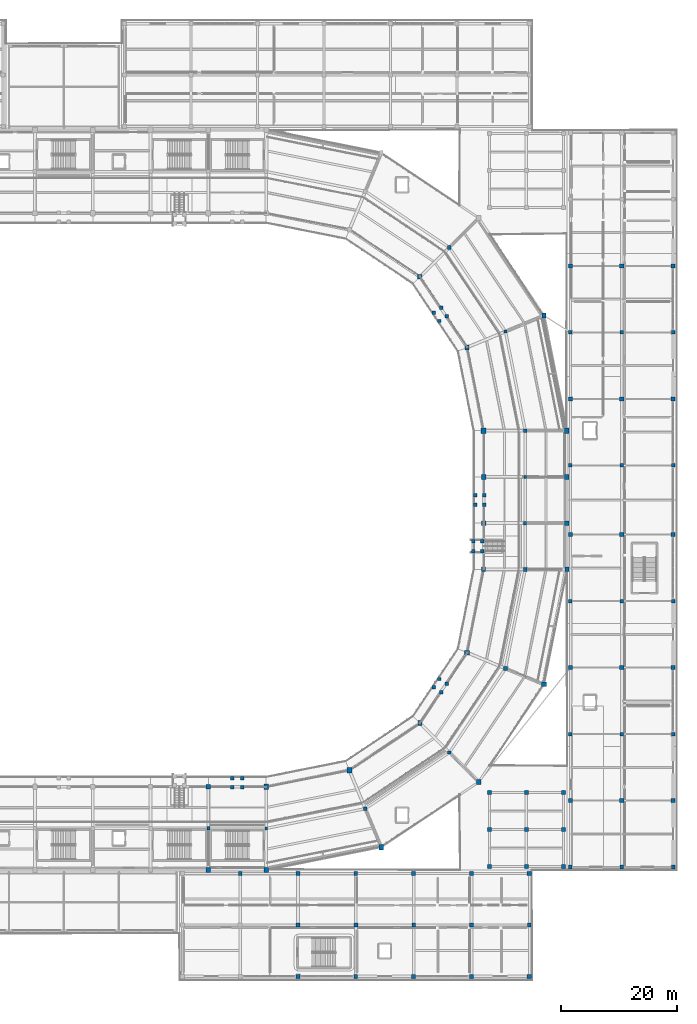
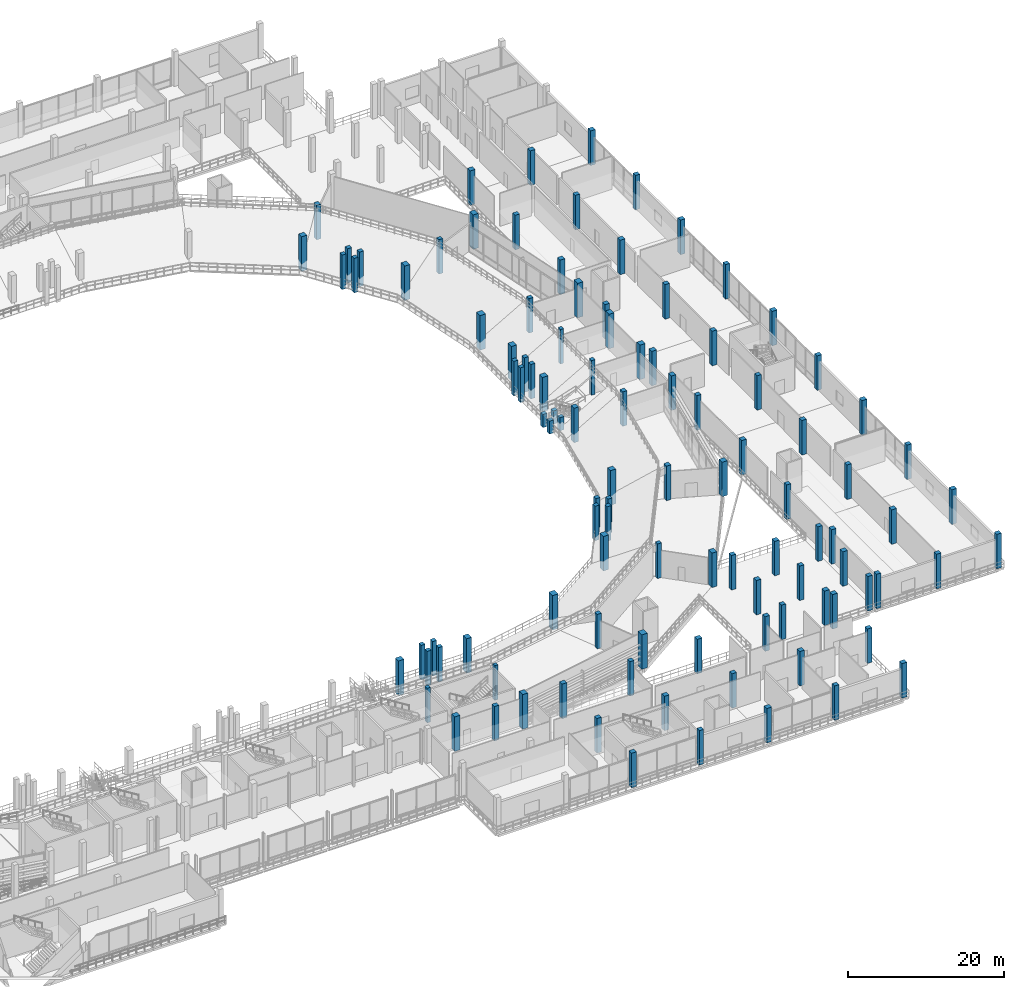
# One storey, part 5 of 127: 107 columns.
"""IFC4 building model written with IfcOpenShell, lengths in metres."""

from ifc_helpers import new_model, si_unit, direction, frame, origin, origin_2d, place, context, subcontext, project, spatial, rectangle, extrude, material, material_profile, profile_set, type_object, element, save


model = new_model("IFC4")

# Units and contexts
model_context = context("Model", 3, precision=1e-05, world=origin(), true_north=direction((0.0, 1.0)))
body_context = subcontext(model_context, "Body", "Model", "MODEL_VIEW")
ifc_project = project(units=[si_unit("LENGTHUNIT", "METRE"), si_unit("AREAUNIT", "SQUARE_METRE"), si_unit("VOLUMEUNIT", "CUBIC_METRE"), si_unit("PLANEANGLEUNIT", "RADIAN"), si_unit("MASSUNIT", "GRAM", prefix="KILO")], contexts=[model_context])

# Site, building, storey
site_placement = place(None, origin())
site = spatial("IfcSite", under=ifc_project, at=site_placement, CompositionType="ELEMENT")
building_placement = place(site_placement, origin())
building = spatial("IfcBuilding", under=site, at=building_placement, Name="Candeia Ridge Stadium", CompositionType="ELEMENT")
storey_placement = place(building_placement, frame((0.0, 0.0, 10.800048828125)))
storey = spatial("IfcBuildingStorey", under=building, at=storey_placement, Name="L02", CompositionType="ELEMENT", Elevation=10.800048828125)

# Columns
ifc_material_1 = material(Name="Concrete C45/55", Category="concrete")
ifc_material_profile_1 = material_profile(ifc_material_1, rectangle(XDim=0.800048828125, YDim=0.800048828125, at=origin_2d()), Name="RC800x800", Category="concrete")
ifc_profile_set_1 = profile_set([ifc_material_profile_1], Name="Concrete C45/55")
column_type_1 = type_object("IfcColumnType", Name="Bowl Column RC800x800", PredefinedType="COLUMN", material=ifc_profile_set_1)
for number, where, z_axis, x_axis, name in (
    (1, (131.0, 33.39990234375, 0.0), (0.0, 0.0, 1.0), (1.0, 0.0, 0.0), "Structural column BC-MD-24 L02"),
    (2, (131.0, 19.0, 0.0), (0.0, 0.0, 1.0), (1.0, 0.0, 0.0), "Structural column BC-OU-24 L02"),
    (3, (175.73779296875, 56.611083984375, 0.0), (0.0, 0.0, 1.0), (1.0, 0.0, 0.0), "Structural column BC-MD-28 L02"),
    (4, (189.041748046875, 51.100341796875, 0.0), (0.0, 0.0, 1.0), (1.0, 0.0, 0.0), "Structural column BC-OU-28 L02"),
    (5, (178.60009765625, 79.0, 0.0), (0.0, 0.0, 1.0), (1.0, 0.0, 0.0), "Structural column BC-MD-30 L02"),
    (6, (193.0, 79.0, 0.0), (0.0, 0.0, 1.0), (1.0, 0.0, 0.0), "Structural column BC-OU-30 L02"),
    (7, (167.587158203125, 121.587158203125, 0.0), (0.0, 0.0, 1.0), (1.0, 0.0, 0.0), "Structural column BC-MD-34 L02"),
):
    element("IfcColumn", number, at=place(storey_placement, frame(where, z_axis=z_axis, x_axis=x_axis)), inside=storey, type_object=column_type_1, Name=name, PredefinedType="COLUMN", context=body_context, shape_type="SweptSolid", body=[
        extrude(rectangle(XDim=0.800048828125, YDim=0.800048828125, at=origin_2d()), origin(), (0.0, 0.0, 1.0), 5.39990234375),
    ])
ifc_material_2 = material(Name="Concrete C40/50", Category="concrete")
ifc_material_profile_2 = material_profile(ifc_material_2, rectangle(XDim=0.47998046875, YDim=0.56005859375, at=origin_2d()), Name="RC480x560", Category="concrete")
ifc_profile_set_2 = profile_set([ifc_material_profile_2], Name="Concrete C40/50")
column_type_2 = type_object("IfcColumnType", Name="Graduated Frame Column RC480x560", PredefinedType="COLUMN", material=ifc_profile_set_2)
for number, where, z_axis, x_axis, name in (
    (8, (141.0, 26.199951171875, 0.0), (0.0, 0.0, 1.0), (1.0, 0.0, 0.0), "Structural column BC-M2-25 L02"),
    (9, (185.800048828125, 87.0, 0.0), (0.0, 0.0, 1.0), (1.0, 0.0, 0.0), "Structural column BC-M2-31 L02"),
):
    element("IfcColumn", number, at=place(storey_placement, frame(where, z_axis=z_axis, x_axis=x_axis)), inside=storey, type_object=column_type_2, Name=name, PredefinedType="COLUMN", context=body_context, shape_type="SweptSolid", body=[
        extrude(rectangle(XDim=0.47998046875, YDim=0.56005859375, at=origin_2d()), origin(), (0.0, 0.0, 1.0), 5.39990234375),
    ])
ifc_material_profile_3 = material_profile(ifc_material_2, rectangle(XDim=0.52001953125, YDim=0.6201171875, at=origin_2d()), Name="RC520x620", Category="concrete")
ifc_profile_set_3 = profile_set([ifc_material_profile_3], Name="Concrete C40/50")
column_type_3 = type_object("IfcColumnType", Name="Graduated Frame Column RC520x620", PredefinedType="COLUMN", material=ifc_profile_set_3)
for number, where, z_axis, x_axis, name in (
    (10, (131.0, 26.199951171875, 0.0), (0.0, 0.0, 1.0), (1.0, 0.0, 0.0), "Structural column BC-M2-24 L02"),
    (11, (185.800048828125, 79.0, 0.0), (0.0, 0.0, 1.0), (1.0, 0.0, 0.0), "Structural column BC-M2-30 L02"),
):
    element("IfcColumn", number, at=place(storey_placement, frame(where, z_axis=z_axis, x_axis=x_axis)), inside=storey, type_object=column_type_3, Name=name, PredefinedType="COLUMN", context=body_context, shape_type="SweptSolid", body=[
        extrude(rectangle(XDim=0.52001953125, YDim=0.6201171875, at=origin_2d()), origin(), (0.0, 0.0, 1.0), 5.39990234375),
    ])
ifc_material_profile_4 = material_profile(ifc_material_2, rectangle(XDim=0.580078125, YDim=0.580078125, at=origin_2d()), Name="RC580x580", Category="concrete")
ifc_profile_set_4 = profile_set([ifc_material_profile_4], Name="Concrete C40/50")
column_type_4 = type_object("IfcColumnType", Name="Graduated Frame Column RC580x580", PredefinedType="COLUMN", material=ifc_profile_set_4)
for number, where, z_axis, x_axis, name in (
    (12, (172.678466796875, 39.321533203125, 0.0), (0.0, 0.0, 1.0), (1.0, 0.0, 0.0), "Structural column BC-M2-27 L02"),
    (13, (182.389892578125, 112.144287109375, 0.0), (0.0, 0.0, 1.0), (1.0, 0.0, 0.0), "Structural column BC-M2-33 L02"),
):
    element("IfcColumn", number, at=place(storey_placement, frame(where, z_axis=z_axis, x_axis=x_axis)), inside=storey, type_object=column_type_4, Name=name, PredefinedType="COLUMN", context=body_context, shape_type="SweptSolid", body=[
        extrude(rectangle(XDim=0.580078125, YDim=0.580078125, at=origin_2d()), origin(), (0.0, 0.0, 1.0), 5.39990234375),
    ])
ifc_material_profile_5 = material_profile(ifc_material_2, rectangle(XDim=0.580078125, YDim=0.679931640625, at=origin_2d()), Name="RC580x680", Category="concrete")
ifc_profile_set_5 = profile_set([ifc_material_profile_5], Name="Concrete C40/50")
column_type_5 = type_object("IfcColumnType", Name="Graduated Frame Column RC580x680", PredefinedType="COLUMN", material=ifc_profile_set_5)
column_placement = place(storey_placement, frame((185.800048828125, 71.0, 0.0), z_axis=(0.0, 0.0, 1.0), x_axis=(1.0, 0.0, 0.0)))
element("IfcColumn", 14, at=column_placement, inside=storey, type_object=column_type_5, Name="Structural column BC-M2-29 L02", PredefinedType="COLUMN", context=body_context, shape_type="SweptSolid", body=[
    extrude(rectangle(XDim=0.580078125, YDim=0.679931640625, at=origin_2d()), origin(), (0.0, 0.0, 1.0), 5.39990234375),
])
ifc_material_profile_6 = material_profile(ifc_material_2, rectangle(XDim=0.6201171875, YDim=0.6201171875, at=origin_2d()), Name="RC620x620", Category="concrete")
ifc_profile_set_6 = profile_set([ifc_material_profile_6], Name="Concrete C40/50")
column_type_6 = type_object("IfcColumnType", Name="Graduated Frame Column RC620x620", PredefinedType="COLUMN", material=ifc_profile_set_6)
for number, where, z_axis, x_axis, name in (
    (15, (158.144287109375, 29.610107421875, 0.0), (0.0, 0.0, 1.0), (1.0, 0.0, 0.0), "Structural column BC-M2-26 L02"),
    (16, (185.800048828125, 95.0, 0.0), (0.0, 0.0, 1.0), (1.0, 0.0, 0.0), "Structural column BC-M2-32 L02"),
):
    element("IfcColumn", number, at=place(storey_placement, frame(where, z_axis=z_axis, x_axis=x_axis)), inside=storey, type_object=column_type_6, Name=name, PredefinedType="COLUMN", context=body_context, shape_type="SweptSolid", body=[
        extrude(rectangle(XDim=0.6201171875, YDim=0.6201171875, at=origin_2d()), origin(), (0.0, 0.0, 1.0), 5.39990234375),
    ])
ifc_material_profile_7 = material_profile(ifc_material_2, rectangle(XDim=0.6201171875, YDim=0.719970703125, at=origin_2d()), Name="RC620x720", Category="concrete")
ifc_profile_set_7 = profile_set([ifc_material_profile_7], Name="Concrete C40/50")
column_type_7 = type_object("IfcColumnType", Name="Graduated Frame Column RC620x720", PredefinedType="COLUMN", material=ifc_profile_set_7)
for number, where, z_axis, x_axis, name in (
    (17, (182.389892578125, 53.855712890625, 0.0), (0.0, 0.0, 1.0), (1.0, 0.0, 0.0), "Structural column BC-M2-28 L02"),
    (18, (172.678466796875, 126.678466796875, 0.0), (0.0, 0.0, 1.0), (1.0, 0.0, 0.0), "Structural column BC-M2-34 L02"),
):
    element("IfcColumn", number, at=place(storey_placement, frame(where, z_axis=z_axis, x_axis=x_axis)), inside=storey, type_object=column_type_7, Name=name, PredefinedType="COLUMN", context=body_context, shape_type="SweptSolid", body=[
        extrude(rectangle(XDim=0.6201171875, YDim=0.719970703125, at=origin_2d()), origin(), (0.0, 0.0, 1.0), 5.39990234375),
    ])
ifc_material_profile_8 = material_profile(ifc_material_2, rectangle(XDim=0.679931640625, YDim=0.760009765625, at=origin_2d()), Name="RC680x760", Category="concrete")
ifc_profile_set_8 = profile_set([ifc_material_profile_8], Name="Concrete C40/50")
column_type_8 = type_object("IfcColumnType", Name="Graduated Frame Column RC680x760", PredefinedType="COLUMN", material=ifc_profile_set_8)
for number, where, z_axis, x_axis, name in (
    (19, (178.60009765625, 71.0, 0.0), (0.0, 0.0, 1.0), (1.0, 0.0, 0.0), "Structural column BC-MD-29 L02"),
    (20, (193.0, 71.0, 0.0), (0.0, 0.0, 1.0), (1.0, 0.0, 0.0), "Structural column BC-OU-29 L02"),
):
    element("IfcColumn", number, at=place(storey_placement, frame(where, z_axis=z_axis, x_axis=x_axis)), inside=storey, type_object=column_type_8, Name=name, PredefinedType="COLUMN", context=body_context, shape_type="SweptSolid", body=[
        extrude(rectangle(XDim=0.679931640625, YDim=0.760009765625, at=origin_2d()), origin(), (0.0, 0.0, 1.0), 5.39990234375),
    ])
ifc_material_profile_9 = material_profile(ifc_material_1, rectangle(XDim=0.820068359375, YDim=0.949951171875, at=origin_2d()), Name="RC820x950", Category="concrete")
ifc_profile_set_9 = profile_set([ifc_material_profile_9], Name="Concrete C45/55")
column_type_9 = type_object("IfcColumnType", Name="Graduated Frame Column RC820x950", PredefinedType="COLUMN", material=ifc_profile_set_9)
for number, where, z_axis, x_axis, name in (
    (21, (155.388916015625, 36.26220703125, 0.0), (0.0, 0.0, 1.0), (1.0, 0.0, 0.0), "Structural column BC-MD-26 L02"),
    (22, (160.899658203125, 22.958251953125, 0.0), (0.0, 0.0, 1.0), (1.0, 0.0, 0.0), "Structural column BC-OU-26 L02"),
    (23, (178.60009765625, 95.0, 0.0), (0.0, 0.0, 1.0), (1.0, 0.0, 0.0), "Structural column BC-MD-32 L02"),
    (24, (193.0, 95.0, 0.0), (0.0, 0.0, 1.0), (1.0, 0.0, 0.0), "Structural column BC-OU-32 L02"),
):
    element("IfcColumn", number, at=place(storey_placement, frame(where, z_axis=z_axis, x_axis=x_axis)), inside=storey, type_object=column_type_9, Name=name, PredefinedType="COLUMN", context=body_context, shape_type="SweptSolid", body=[
        extrude(rectangle(XDim=0.820068359375, YDim=0.949951171875, at=origin_2d()), origin(), (0.0, 0.0, 1.0), 5.39990234375),
    ])
ifc_material_profile_10 = material_profile(ifc_material_2, rectangle(XDim=0.64990234375, YDim=0.64990234375, at=origin_2d()), Name="RC650x650", Category="concrete")
ifc_profile_set_10 = profile_set([ifc_material_profile_10], Name="Concrete C40/50")
column_type_10 = type_object("IfcColumnType", Name="Reinforced Concrete Column RC650x650", PredefinedType="COLUMN", material=ifc_profile_set_10)
for number, where, z_axis, x_axis, name in (
    (25, (193.60009765625, 19.5, 0.0), (0.0, 0.0, 1.0), (1.0, 0.0, 0.0), "Structural column EW-00-00 L02"),
    (26, (193.60009765625, 42.5, 0.0), (0.0, 0.0, 1.0), (1.0, 0.0, 0.0), "Structural column EW-00-02 L02"),
    (27, (193.60009765625, 65.5, 0.0), (0.0, 0.0, 1.0), (1.0, 0.0, 0.0), "Structural column EW-00-04 L02"),
    (28, (193.60009765625, 89.0, 0.0), (0.0, 0.0, 1.0), (1.0, 0.0, 0.0), "Structural column EW-00-06 L02"),
    (29, (193.60009765625, 112.0, 0.0), (0.0, 0.0, 1.0), (1.0, 0.0, 0.0), "Structural column EW-00-08 L02"),
    (30, (202.5, 19.5, 0.0), (0.0, 0.0, 1.0), (1.0, 0.0, 0.0), "Structural column EW-01-00 L02"),
    (31, (202.5, 42.5, 0.0), (0.0, 0.0, 1.0), (1.0, 0.0, 0.0), "Structural column EW-01-02 L02"),
    (32, (202.5, 65.5, 0.0), (0.0, 0.0, 1.0), (1.0, 0.0, 0.0), "Structural column EW-01-04 L02"),
    (33, (202.5, 89.0, 0.0), (0.0, 0.0, 1.0), (1.0, 0.0, 0.0), "Structural column EW-01-06 L02"),
    (34, (202.5, 112.0, 0.0), (0.0, 0.0, 1.0), (1.0, 0.0, 0.0), "Structural column EW-01-08 L02"),
    (35, (211.39990234375, 19.5, 0.0), (0.0, 0.0, 1.0), (1.0, 0.0, 0.0), "Structural column EW-02-00 L02"),
    (36, (211.39990234375, 42.5, 0.0), (0.0, 0.0, 1.0), (1.0, 0.0, 0.0), "Structural column EW-02-02 L02"),
    (37, (211.39990234375, 65.5, 0.0), (0.0, 0.0, 1.0), (1.0, 0.0, 0.0), "Structural column EW-02-04 L02"),
    (38, (211.39990234375, 89.0, 0.0), (0.0, 0.0, 1.0), (1.0, 0.0, 0.0), "Structural column EW-02-06 L02"),
    (39, (211.39990234375, 112.0, 0.0), (0.0, 0.0, 1.0), (1.0, 0.0, 0.0), "Structural column EW-02-08 L02"),
    (40, (136.5, 18.39990234375, 0.0), (0.0, 0.0, 1.0), (1.0, 0.0, 0.0), "Structural column SWE-01-02 L02"),
    (41, (146.5, 9.5, 0.0), (0.0, 0.0, 1.0), (1.0, 0.0, 0.0), "Structural column SWE-02-01 L02"),
    (42, (156.5, 0.60009765625, 0.0), (0.0, 0.0, 1.0), (1.0, 0.0, 0.0), "Structural column SWE-03-00 L02"),
    (43, (156.5, 18.39990234375, 0.0), (0.0, 0.0, 1.0), (1.0, 0.0, 0.0), "Structural column SWE-03-02 L02"),
    (44, (166.5, 9.5, 0.0), (0.0, 0.0, 1.0), (1.0, 0.0, 0.0), "Structural column SWE-04-01 L02"),
    (45, (176.5, 0.60009765625, 0.0), (0.0, 0.0, 1.0), (1.0, 0.0, 0.0), "Structural column SWE-05-00 L02"),
    (46, (176.5, 18.39990234375, 0.0), (0.0, 0.0, 1.0), (1.0, 0.0, 0.0), "Structural column SWE-05-02 L02"),
    (47, (186.5, 9.5, 0.0), (0.0, 0.0, 1.0), (1.0, 0.0, 0.0), "Structural column SWE-06-01 L02"),
    (48, (179.60009765625, 19.60009765625, 0.0), (0.0, 0.0, 1.0), (1.0, 0.0, 0.0), "Structural column SPSE-00-00 L02"),
    (49, (179.60009765625, 32.39990234375, 0.0), (0.0, 0.0, 1.0), (1.0, 0.0, 0.0), "Structural column SPSE-00-02 L02"),
    (50, (186.0, 26.0, 0.0), (0.0, 0.0, 1.0), (1.0, 0.0, 0.0), "Structural column SPSE-01-01 L02"),
    (51, (192.39990234375, 19.60009765625, 0.0), (0.0, 0.0, 1.0), (1.0, 0.0, 0.0), "Structural column SPSE-02-00 L02"),
    (52, (192.39990234375, 32.39990234375, 0.0), (0.0, 0.0, 1.0), (1.0, 0.0, 0.0), "Structural column SPSE-02-02 L02"),
):
    element("IfcColumn", number, at=place(storey_placement, frame(where, z_axis=z_axis, x_axis=x_axis)), inside=storey, type_object=column_type_10, Name=name, PredefinedType="COLUMN", context=body_context, shape_type="SweptSolid", body=[
        extrude(rectangle(XDim=0.64990234375, YDim=0.64990234375, at=origin_2d()), origin(), (0.0, 0.0, 1.0), 5.39990234375),
    ])
ifc_material_profile_11 = material_profile(ifc_material_1, rectangle(XDim=0.75, YDim=0.89990234375, at=origin_2d()), Name="RC750x900", Category="concrete")
ifc_profile_set_11 = profile_set([ifc_material_profile_11], Name="Concrete C45/55")
column_type_11 = type_object("IfcColumnType", Name="Reinforced Concrete Column RC750x900", PredefinedType="COLUMN", material=ifc_profile_set_11)
for number, where, z_axis, x_axis, name in (
    (53, (141.0, 33.39990234375, 0.0), (0.0, 0.0, 1.0), (1.0, 0.0, 0.0), "Structural column BC-MD-25 L02"),
    (54, (141.0, 19.0, 0.0), (0.0, 0.0, 1.0), (1.0, 0.0, 0.0), "Structural column BC-OU-25 L02"),
    (55, (167.587158203125, 44.412841796875, 0.0), (0.0, 0.0, 1.0), (1.0, 0.0, 0.0), "Structural column BC-MD-27 L02"),
    (56, (177.76953125, 34.23046875, 0.0), (0.0, 0.0, 1.0), (1.0, 0.0, 0.0), "Structural column BC-OU-27 L02"),
    (57, (178.60009765625, 87.0, 0.0), (0.0, 0.0, 1.0), (1.0, 0.0, 0.0), "Structural column BC-MD-31 L02"),
    (58, (193.0, 87.0, 0.0), (0.0, 0.0, 1.0), (1.0, 0.0, 0.0), "Structural column BC-OU-31 L02"),
    (59, (175.73779296875, 109.388916015625, 0.0), (0.0, 0.0, 1.0), (1.0, 0.0, 0.0), "Structural column BC-MD-33 L02"),
    (60, (189.041748046875, 114.899658203125, 0.0), (0.0, 0.0, 1.0), (1.0, 0.0, 0.0), "Structural column BC-OU-33 L02"),
):
    element("IfcColumn", number, at=place(storey_placement, frame(where, z_axis=z_axis, x_axis=x_axis)), inside=storey, type_object=column_type_11, Name=name, PredefinedType="COLUMN", context=body_context, shape_type="SweptSolid", body=[
        extrude(rectangle(XDim=0.75, YDim=0.89990234375, at=origin_2d()), origin(), (0.0, 0.0, 1.0), 5.39990234375),
    ])
ifc_material_profile_12 = material_profile(ifc_material_2, rectangle(XDim=0.60009765625, YDim=0.60009765625, at=origin_2d()), Name="RC600x600", Category="concrete")
ifc_profile_set_12 = profile_set([ifc_material_profile_12], Name="Concrete C40/50")
column_type_12 = type_object("IfcColumnType", Name="Wing Column RC600x600", PredefinedType="COLUMN", material=ifc_profile_set_12)
for number, where, z_axis, x_axis, name in (
    (61, (178.3701171875, 75.85009765625, 0.0), (0.0, 0.0, 1.0), (1.0, 0.0, 0.0), "Vomitory VS24 landing support column 1 L02"),
    (62, (176.820068359375, 75.85009765625, 0.0), (0.0, 0.0, 1.0), (1.0, 0.0, 0.0), "Vomitory VS24 landing support column 2 L02"),
    (63, (176.820068359375, 74.14990234375, 0.0), (0.0, 0.0, 1.0), (1.0, 0.0, 0.0), "Vomitory VS24 landing support column 3 L02"),
    (64, (178.3701171875, 74.14990234375, 0.0), (0.0, 0.0, 1.0), (1.0, 0.0, 0.0), "Vomitory VS24 landing support column 4 L02"),
):
    element("IfcColumn", number, at=place(storey_placement, frame(where, z_axis=z_axis, x_axis=x_axis)), inside=storey, type_object=column_type_12, Name=name, PredefinedType="COLUMN", context=body_context, shape_type="SweptSolid", body=[
        extrude(rectangle(XDim=0.60009765625, YDim=0.60009765625, at=origin_2d()), origin(), (0.0, 0.0, 1.0), 2.0400390625),
    ])
for number, where, z_axis, x_axis, name in (
    (65, (136.85009765625, 33.318115234375, 0.0), (0.0, 0.0, 1.0), (1.0, 0.0, 0.0), "Vomitory VS33 landing support column 1 L02"),
    (66, (136.85009765625, 34.867919921875, 0.0), (0.0, 0.0, 1.0), (1.0, 0.0, 0.0), "Vomitory VS33 landing support column 2 L02"),
    (67, (135.14990234375, 34.867919921875, 0.0), (0.0, 0.0, 1.0), (1.0, 0.0, 0.0), "Vomitory VS33 landing support column 3 L02"),
    (68, (135.14990234375, 33.318115234375, 0.0), (0.0, 0.0, 1.0), (1.0, 0.0, 0.0), "Vomitory VS33 landing support column 4 L02"),
    (69, (172.196044921875, 51.177734375, 0.0), (0.0, 0.0, 1.0), (1.0, 0.0, 0.0), "Vomitory VS34 landing support column 1 L02"),
    (70, (170.9072265625, 52.038818359375, 0.0), (0.0, 0.0, 1.0), (1.0, 0.0, 0.0), "Vomitory VS34 landing support column 2 L02"),
    (71, (169.962890625, 50.62548828125, 0.0), (0.0, 0.0, 1.0), (1.0, 0.0, 0.0), "Vomitory VS34 landing support column 3 L02"),
    (72, (171.251708984375, 49.76416015625, 0.0), (0.0, 0.0, 1.0), (1.0, 0.0, 0.0), "Vomitory VS34 landing support column 4 L02"),
    (73, (178.681884765625, 83.85009765625, 0.0), (0.0, 0.0, 1.0), (1.0, 0.0, 0.0), "Vomitory VS35 landing support column 1 L02"),
    (74, (177.132080078125, 83.85009765625, 0.0), (0.0, 0.0, 1.0), (1.0, 0.0, 0.0), "Vomitory VS35 landing support column 2 L02"),
    (75, (177.132080078125, 82.14990234375, 0.0), (0.0, 0.0, 1.0), (1.0, 0.0, 0.0), "Vomitory VS35 landing support column 3 L02"),
    (76, (178.681884765625, 82.14990234375, 0.0), (0.0, 0.0, 1.0), (1.0, 0.0, 0.0), "Vomitory VS35 landing support column 4 L02"),
    (77, (171.251708984375, 116.23583984375, 0.0), (0.0, 0.0, 1.0), (1.0, 0.0, 0.0), "Vomitory VS36 landing support column 1 L02"),
    (78, (169.962890625, 115.37451171875, 0.0), (0.0, 0.0, 1.0), (1.0, 0.0, 0.0), "Vomitory VS36 landing support column 2 L02"),
    (79, (170.9072265625, 113.961181640625, 0.0), (0.0, 0.0, 1.0), (1.0, 0.0, 0.0), "Vomitory VS36 landing support column 3 L02"),
    (80, (172.196044921875, 114.822265625, 0.0), (0.0, 0.0, 1.0), (1.0, 0.0, 0.0), "Vomitory VS36 landing support column 4 L02"),
):
    element("IfcColumn", number, at=place(storey_placement, frame(where, z_axis=z_axis, x_axis=x_axis)), inside=storey, type_object=column_type_12, Name=name, PredefinedType="COLUMN", context=body_context, shape_type="SweptSolid", body=[
        extrude(rectangle(XDim=0.60009765625, YDim=0.60009765625, at=origin_2d()), origin(), (0.0, 0.0, 1.0), 5.39990234375),
    ])
ifc_material_profile_13 = material_profile(ifc_material_2, rectangle(XDim=0.699951171875, YDim=0.699951171875, at=origin_2d()), Name="RC700x700", Category="concrete")
ifc_profile_set_13 = profile_set([ifc_material_profile_13], Name="Concrete C40/50")
column_type_13 = type_object("IfcColumnType", Name="Wing Column RC700x700", PredefinedType="COLUMN", material=ifc_profile_set_13)
for number, where, z_axis, x_axis, name in (
    (81, (193.60009765625, 31.0, 0.0), (0.0, 0.0, 1.0), (1.0, 0.0, 0.0), "Structural column EW-00-01 L02"),
    (82, (193.60009765625, 54.0, 0.0), (0.0, 0.0, 1.0), (1.0, 0.0, 0.0), "Structural column EW-00-03 L02"),
    (83, (193.60009765625, 77.0, 0.0), (0.0, 0.0, 1.0), (1.0, 0.0, 0.0), "Structural column EW-00-05 L02"),
    (84, (193.60009765625, 100.5, 0.0), (0.0, 0.0, 1.0), (1.0, 0.0, 0.0), "Structural column EW-00-07 L02"),
    (85, (193.60009765625, 123.5, 0.0), (0.0, 0.0, 1.0), (1.0, 0.0, 0.0), "Structural column EW-00-09 L02"),
    (86, (202.5, 31.0, 0.0), (0.0, 0.0, 1.0), (1.0, 0.0, 0.0), "Structural column EW-01-01 L02"),
    (87, (202.5, 54.0, 0.0), (0.0, 0.0, 1.0), (1.0, 0.0, 0.0), "Structural column EW-01-03 L02"),
    (88, (202.5, 77.0, 0.0), (0.0, 0.0, 1.0), (1.0, 0.0, 0.0), "Structural column EW-01-05 L02"),
    (89, (202.5, 100.5, 0.0), (0.0, 0.0, 1.0), (1.0, 0.0, 0.0), "Structural column EW-01-07 L02"),
    (90, (202.5, 123.5, 0.0), (0.0, 0.0, 1.0), (1.0, 0.0, 0.0), "Structural column EW-01-09 L02"),
    (91, (211.39990234375, 31.0, 0.0), (0.0, 0.0, 1.0), (1.0, 0.0, 0.0), "Structural column EW-02-01 L02"),
    (92, (211.39990234375, 54.0, 0.0), (0.0, 0.0, 1.0), (1.0, 0.0, 0.0), "Structural column EW-02-03 L02"),
    (93, (211.39990234375, 77.0, 0.0), (0.0, 0.0, 1.0), (1.0, 0.0, 0.0), "Structural column EW-02-05 L02"),
    (94, (211.39990234375, 100.5, 0.0), (0.0, 0.0, 1.0), (1.0, 0.0, 0.0), "Structural column EW-02-07 L02"),
    (95, (211.39990234375, 123.5, 0.0), (0.0, 0.0, 1.0), (1.0, 0.0, 0.0), "Structural column EW-02-09 L02"),
    (96, (146.5, 0.60009765625, 0.0), (0.0, 0.0, 1.0), (1.0, 0.0, 0.0), "Structural column SWE-02-00 L02"),
    (97, (146.5, 18.39990234375, 0.0), (0.0, 0.0, 1.0), (1.0, 0.0, 0.0), "Structural column SWE-02-02 L02"),
    (98, (156.5, 9.5, 0.0), (0.0, 0.0, 1.0), (1.0, 0.0, 0.0), "Structural column SWE-03-01 L02"),
    (99, (166.5, 0.60009765625, 0.0), (0.0, 0.0, 1.0), (1.0, 0.0, 0.0), "Structural column SWE-04-00 L02"),
    (100, (166.5, 18.39990234375, 0.0), (0.0, 0.0, 1.0), (1.0, 0.0, 0.0), "Structural column SWE-04-02 L02"),
    (101, (176.5, 9.5, 0.0), (0.0, 0.0, 1.0), (1.0, 0.0, 0.0), "Structural column SWE-05-01 L02"),
    (102, (186.5, 0.60009765625, 0.0), (0.0, 0.0, 1.0), (1.0, 0.0, 0.0), "Structural column SWE-06-00 L02"),
    (103, (186.5, 18.39990234375, 0.0), (0.0, 0.0, 1.0), (1.0, 0.0, 0.0), "Structural column SWE-06-02 L02"),
    (104, (179.60009765625, 26.0, 0.0), (0.0, 0.0, 1.0), (1.0, 0.0, 0.0), "Structural column SPSE-00-01 L02"),
    (105, (186.0, 19.60009765625, 0.0), (0.0, 0.0, 1.0), (1.0, 0.0, 0.0), "Structural column SPSE-01-00 L02"),
    (106, (186.0, 32.39990234375, 0.0), (0.0, 0.0, 1.0), (1.0, 0.0, 0.0), "Structural column SPSE-01-02 L02"),
    (107, (192.39990234375, 26.0, 0.0), (0.0, 0.0, 1.0), (1.0, 0.0, 0.0), "Structural column SPSE-02-01 L02"),
):
    element("IfcColumn", number, at=place(storey_placement, frame(where, z_axis=z_axis, x_axis=x_axis)), inside=storey, type_object=column_type_13, Name=name, PredefinedType="COLUMN", context=body_context, shape_type="SweptSolid", body=[
        extrude(rectangle(XDim=0.699951171875, YDim=0.699951171875, at=origin_2d()), origin(), (0.0, 0.0, 1.0), 5.39990234375),
    ])

save(model, "model.ifc")
